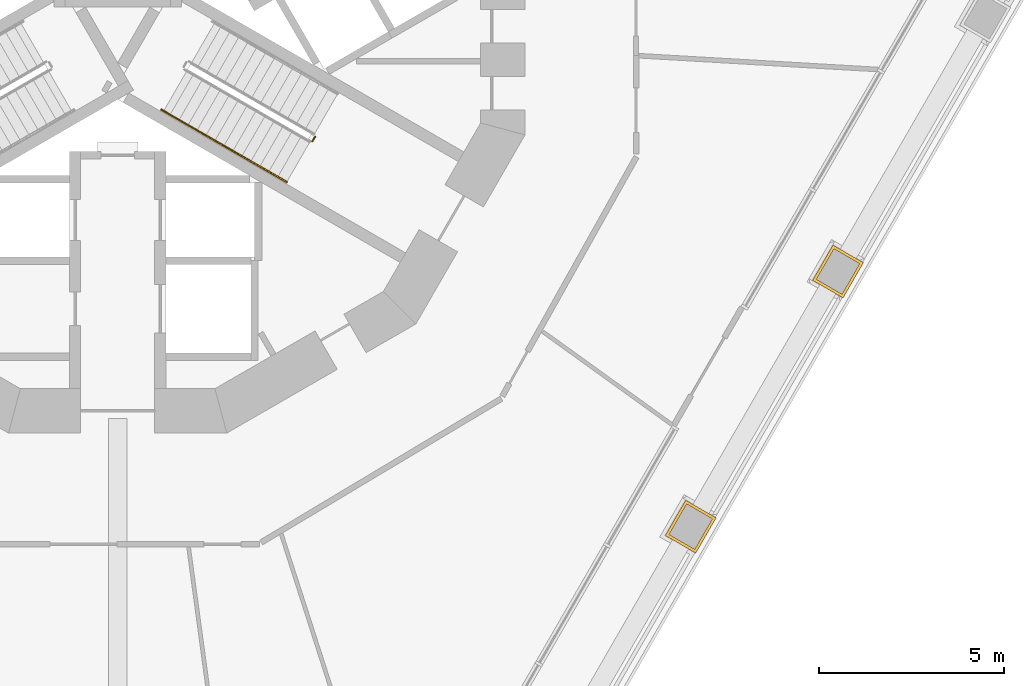
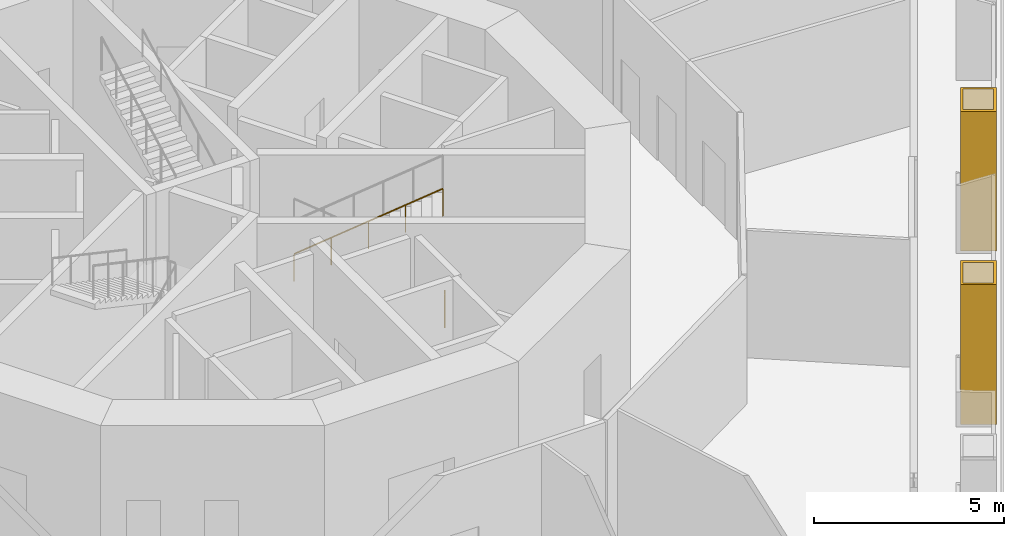
# One storey, part 18 of 22: 3 railings, 2 coverings.
"""IFC4 building model written with IfcOpenShell, lengths in metres."""

import ifcopenshell
import ifcopenshell.guid

model = None  # the IFC model being written
_history = None  # IfcOwnerHistory: only IFC2X3 demands one
_inside = {}  # id of a spatial element -> (the spatial element, [elements in it])
_under = {}  # id of a project, library or spatial element -> (it, [spatial elements below it])
_declared = {}  # id of a project -> (the project, [libraries it declares])
_typed = {}  # id of a type object -> (the type object, [elements of that type])
_made_of = {}  # id of a material, layer set ... -> (it, [elements and type objects made of it])


def new_model(schema):
    """Start an empty IFC model of exactly this schema.

    Asked for "IFC4X3", IfcOpenShell would pick the latest addendum, in which some entities
    have other attributes; the version numbers below select the first issue.
    IFC2X3 requires an IfcOwnerHistory on every rooted entity: one is made here for all.
    """
    global model, _history
    if schema == "IFC4X3":
        model = ifcopenshell.file(schema_version=(4, 3, 0, 0))
    else:
        model = ifcopenshell.file(schema=schema)
    _inside.clear()
    _under.clear()
    _declared.clear()
    _typed.clear()
    _made_of.clear()
    _history = None
    if model.schema == "IFC2X3":
        org = make("IfcOrganization", Name="unknown")
        user = make(
            "IfcPersonAndOrganization",
            ThePerson=make("IfcPerson", FamilyName="unknown"),
            TheOrganization=org,
        )
        app = make(
            "IfcApplication",
            ApplicationDeveloper=org,
            Version="unknown",
            ApplicationFullName="unknown",
            ApplicationIdentifier="unknown",
        )
        _history = make(
            "IfcOwnerHistory",
            OwningUser=user,
            OwningApplication=app,
            ChangeAction="ADDED",
            CreationDate=0,
        )
    return model


def make(cls, **values):
    """One entity of the class cls with the attributes given. An attribute that is None is left unset."""
    return model.create_entity(
        cls, **{name: value for name, value in values.items() if value is not None}
    )


def rooted(cls, **values):
    """An entity with a GlobalId (a new one), such as an element, a storey or a relation."""
    return make(cls, GlobalId=ifcopenshell.guid.new(), OwnerHistory=_history, **values)


def si_unit(unit_type, name, prefix=None):
    """IfcSIUnit, for example si_unit("LENGTHUNIT", "METRE", prefix="MILLI")."""
    return make("IfcSIUnit", UnitType=unit_type, Prefix=prefix, Name=name)


def assignment(units):
    """IfcUnitAssignment: the units of a project."""
    return None if units is None else make("IfcUnitAssignment", Units=units)


def point(xyz):
    """IfcCartesianPoint."""
    return None if xyz is None else make("IfcCartesianPoint", Coordinates=xyz)


def direction(xyz):
    """IfcDirection."""
    return None if xyz is None else make("IfcDirection", DirectionRatios=xyz)


def frame(location, z_axis=None, x_axis=None):
    """IfcAxis2Placement3D, a coordinate frame: its origin and axes. An axis left out is left unset."""
    return make(
        "IfcAxis2Placement3D",
        Location=point(location),
        Axis=direction(z_axis),
        RefDirection=direction(x_axis),
    )


def frame_2d(location, x_axis=None):
    """IfcAxis2Placement2D, a coordinate frame in the plane: its origin and x axis."""
    return make(
        "IfcAxis2Placement2D", Location=point(location), RefDirection=direction(x_axis)
    )


def origin():
    """The frame at (0, 0, 0) with its axes left unset."""
    return frame((0.0, 0.0, 0.0))


def origin_2d():
    """The frame at (0, 0) in the plane with its x axis left unset."""
    return frame_2d((0.0, 0.0))


def place(relative_to, where):
    """IfcLocalPlacement: puts the frame where relative to a parent placement (None: the world)."""
    return make(
        "IfcLocalPlacement", PlacementRelTo=relative_to, RelativePlacement=where
    )


def context(
    kind, dimensions, precision=None, world=None, true_north=None, identifier=None
):
    """IfcGeometricRepresentationContext, for example the 3D "Model" context."""
    return make(
        "IfcGeometricRepresentationContext",
        ContextIdentifier=identifier,
        ContextType=kind,
        CoordinateSpaceDimension=dimensions,
        Precision=precision,
        WorldCoordinateSystem=world,
        TrueNorth=true_north,
    )


def subcontext(parent, identifier, kind, view, scale=None):
    """IfcGeometricRepresentationSubContext, for example "Body" below "Model"."""
    return make(
        "IfcGeometricRepresentationSubContext",
        ContextIdentifier=identifier,
        ContextType=kind,
        ParentContext=parent,
        TargetScale=scale,
        TargetView=view,
    )


def project(units=None, contexts=None):
    """IfcProject with its units and contexts."""
    return rooted(
        "IfcProject",
        Name="project",
        RepresentationContexts=contexts,
        UnitsInContext=assignment(units),
    )


def spatial(cls, under=None, at=None, **own):
    """A site, building, storey or space (cls), placed at a placement, below another one or the project."""
    s = rooted(cls, ObjectPlacement=at, **own)
    if under is not None:
        _under.setdefault(under.id(), (under, []))[1].append(s)
    return s


def polyline(points):
    """IfcPolyline through the points."""
    return make("IfcPolyline", Points=[point(p) for p in points])


def profile(cls, at=None, kind="AREA", **sizes):
    """A parametric profile (cls). Its sizes go by their IFC names, for example OverallWidth=200.0."""
    return make(cls, ProfileType=kind, Position=at, **sizes)


def circle(**sizes):
    """IfcCircleProfileDef."""
    return profile("IfcCircleProfileDef", **sizes)


def outline(outer, holes=None, kind="AREA"):
    """IfcArbitraryClosedProfileDef: a profile drawn as a closed curve; with holes, ...WithVoids."""
    if holes is None:
        return make("IfcArbitraryClosedProfileDef", ProfileType=kind, OuterCurve=outer)
    return make(
        "IfcArbitraryProfileDefWithVoids",
        ProfileType=kind,
        OuterCurve=outer,
        InnerCurves=holes,
    )


def extrude(swept, where, along, depth):
    """IfcExtrudedAreaSolid: the profile swept, set in the frame where, extruded along a direction by depth."""
    return make(
        "IfcExtrudedAreaSolid",
        SweptArea=swept,
        Position=where,
        ExtrudedDirection=direction(along),
        Depth=depth,
    )


def shape(context_of_items, identifier, shape_type, items):
    """IfcShapeRepresentation: the items that make up one representation, for example the "Body"."""
    return make(
        "IfcShapeRepresentation",
        ContextOfItems=context_of_items,
        RepresentationIdentifier=identifier,
        RepresentationType=shape_type,
        Items=items,
    )


def material(Name=None, Category=None):
    """IfcMaterial."""
    return make("IfcMaterial", Name=Name, Category=Category)


def layer(
    of_material, thickness, ventilated=None, Name=None, Category=None, Priority=None
):
    """IfcMaterialLayer: one layer of a wall or slab, of a material (None: an air gap)."""
    return make(
        "IfcMaterialLayer",
        Material=of_material,
        LayerThickness=thickness,
        IsVentilated=ventilated,
        Name=Name,
        Category=Category,
        Priority=Priority,
    )


def layer_set(layers, Name=None):
    """IfcMaterialLayerSet."""
    return make("IfcMaterialLayerSet", MaterialLayers=layers, LayerSetName=Name)


def made_of(thing, what):
    """Note that an element or type object is made of a material, layer set ...; save() writes the relation."""
    if what is not None:
        _made_of.setdefault(what.id(), (what, []))[1].append(thing)
    return thing


def type_object(cls, material=None, **own):
    """A type object (cls), such as IfcWallType, which elements share."""
    return made_of(rooted(cls, **own), material)


def element(
    cls,
    number,
    at=None,
    inside=None,
    cuts=None,
    type_object=None,
    material=None,
    context=None,
    identifier="Body",
    shape_type=None,
    held_by="IfcProductDefinitionShape",
    body=None,
    shapes=None,
    **own,
):
    """One element of the class cls, such as IfcWall. Its Tag is "e" and its number.

    at: its placement. inside: the storey or other place that contains it. cuts: it is an
    opening in that element (IfcRelVoidsElement). A single representation is given by context,
    identifier, shape_type and body (its items); several are given by shapes. held_by: the class
    of the entity that holds the representations. save() writes the other relations.
    """
    e = rooted(cls, Tag="e%d" % number, ObjectPlacement=at, **own)
    if body is not None:
        shapes = [shape(context, identifier, shape_type, body)]
    if shapes is not None:
        e.Representation = make(held_by, Representations=shapes)
    if inside is not None:
        _inside.setdefault(inside.id(), (inside, []))[1].append(e)
    if cuts is not None:
        rooted(
            "IfcRelVoidsElement", RelatingBuildingElement=cuts, RelatedOpeningElement=e
        )
    if type_object is not None:
        _typed.setdefault(type_object.id(), (type_object, []))[1].append(e)
    return made_of(e, material)


def aggregate(whole, parts):
    """IfcRelAggregates: a whole, such as a stair, and the parts it consists of."""
    return rooted("IfcRelAggregates", RelatingObject=whole, RelatedObjects=parts)


def save(model, path):
    """Write the relations noted so far, then the file.

    IfcRelAggregates (storeys below a building ...), IfcRelContainedInSpatialStructure (elements
    in a storey), IfcRelDefinesByType, IfcRelAssociatesMaterial and IfcRelDeclares: one each for
    every whole, place, type object, material and project.
    """
    for whole, parts in _under.values():
        aggregate(whole, parts)
    for where, things in _inside.values():
        rooted(
            "IfcRelContainedInSpatialStructure",
            RelatedElements=things,
            RelatingStructure=where,
        )
    for kind, things in _typed.values():
        rooted("IfcRelDefinesByType", RelatedObjects=things, RelatingType=kind)
    for what, things in _made_of.values():
        rooted("IfcRelAssociatesMaterial", RelatedObjects=things, RelatingMaterial=what)
    for by, libraries in _declared.values():
        rooted("IfcRelDeclares", RelatingContext=by, RelatedDefinitions=libraries)
    model.write(path)


model = new_model("IFC4")

# Units and contexts
model_context = context("Model", 3, precision=1e-05, world=origin(), true_north=direction((0.0, 1.0)))
body_context = subcontext(model_context, "Body", "Model", "MODEL_VIEW")
ifc_project = project(units=[si_unit("LENGTHUNIT", "METRE"), si_unit("AREAUNIT", "SQUARE_METRE"), si_unit("VOLUMEUNIT", "CUBIC_METRE"), si_unit("PLANEANGLEUNIT", "RADIAN"), si_unit("MASSUNIT", "GRAM", prefix="KILO")], contexts=[model_context])

# Site, building, storey
site_placement = place(None, origin())
site = spatial("IfcSite", under=ifc_project, at=site_placement, CompositionType="ELEMENT")
building_placement = place(site_placement, origin())
building = spatial("IfcBuilding", under=site, at=building_placement, Name="Trine Commons Tower", CompositionType="ELEMENT")
storey_placement = place(building_placement, frame((0.0, 0.0, 22.5)))
storey = spatial("IfcBuildingStorey", under=building, at=storey_placement, Name="L04", CompositionType="ELEMENT", Elevation=22.5)

# Coverings
ifc_material_1 = material(Name="Limestone, honed", Category="masonry")
ifc_layer = layer(ifc_material_1, 0.074951171875)
ifc_layer_set = layer_set([ifc_layer], Name="Limestone, honed")
covering_type = type_object("IfcCoveringType", Name="Limestone column cladding 75", PredefinedType="CLADDING", material=ifc_layer_set)
covering_1_placement = place(storey_placement, origin())
element("IfcCovering", 1, at=covering_1_placement, inside=storey, type_object=covering_type, Name="Limestone pier cladding 1-20", PredefinedType="CLADDING", context=body_context, shape_type="SweptSolid", body=[
    extrude(outline(polyline([(100.15771484375, 56.0947265625), (99.334716796875, 56.569580078125), (98.784912109375, 55.6171875), (99.607666015625, 55.14208984375), (100.15771484375, 56.0947265625)]), holes=[polyline([(100.05517578125, 56.0673828125), (99.3623046875, 56.46728515625), (98.88720703125, 55.64453125), (99.580078125, 55.244384765625), (100.05517578125, 56.0673828125)])]), origin(), (0.0, 0.0, 1.0), 4.5),
])
covering_2_placement = place(storey_placement, origin())
element("IfcCovering", 2, at=covering_2_placement, inside=storey, type_object=covering_type, Name="Limestone pier cladding 1-21", PredefinedType="CLADDING", context=body_context, shape_type="SweptSolid", body=[
    extrude(outline(polyline([(96.17578125, 49.1982421875), (95.35302734375, 49.67333984375), (94.802978515625, 48.720703125), (95.6259765625, 48.24560546875), (96.17578125, 49.1982421875)]), holes=[polyline([(96.073486328125, 49.1708984375), (95.380615234375, 49.57080078125), (94.905517578125, 48.748046875), (95.598388671875, 48.34814453125), (96.073486328125, 49.1708984375)])]), origin(), (0.0, 0.0, 1.0), 4.5),
])

# Railings
ifc_material_2 = material(Name="Stainless steel balustrade", Category="steel")
railing_type_1 = type_object("IfcRailingType", Name="Stair guard, steel balustrade 1100", PredefinedType="GUARDRAIL", material=ifc_material_2)
railing_1_placement = place(storey_placement, frame((85.338134765625, 59.504638671875, 0.0)))
element("IfcRailing", 3, at=railing_1_placement, inside=storey, type_object=railing_type_1, Name="L04 ST3A stair guard 4", PredefinedType="GUARDRAIL", context=body_context, shape_type="SweptSolid", body=[
    extrude(circle(Radius=0.02392578125, at=origin_2d()), frame((0.0, 0.0, 1.076171875), z_axis=(-0.499816412211, -0.866131372301, 0.0), x_axis=(0.866131372301, -0.499816412211, 0.0)), (0.0, 0.0, 1.0), 0.14990234375),
    extrude(circle(Radius=0.02099609375, at=origin_2d()), origin(), (0.0, 0.0, 1.0), 1.052001953125),
    extrude(circle(Radius=0.02099609375, at=origin_2d()), frame((-0.074951171875, -0.1298828125, 0.0)), (0.0, 0.0, 1.0), 1.052001953125),
])
ifc_material_3 = material(Name="Stainless steel handrail", Category="steel")
railing_type_2 = type_object("IfcRailingType", Name="Stair handrail, steel 900", PredefinedType="HANDRAIL", material=ifc_material_3)
railing_2_placement = place(storey_placement, frame((81.175048828125, 60.23388671875, 2.39990234375)))
element("IfcRailing", 4, at=railing_2_placement, inside=storey, type_object=railing_type_2, Name="L04 ST3A stair handrail 3", PredefinedType="HANDRAIL", context=body_context, shape_type="SweptSolid", body=[
    extrude(circle(Radius=0.02099609375, at=origin_2d()), frame((0.0, 0.0, 0.87890625), z_axis=(0.763352030933, -0.440750151347, 0.472263677365), x_axis=(0.500024377727, 0.866011328839, 0.0)), (0.0, 0.0, 1.0), 2.223388671875),
    extrude(circle(Radius=0.01513671875, at=origin_2d()), origin(), (0.0, 0.0, 1.0), 0.85791015625),
    extrude(circle(Radius=0.01513671875, at=origin_2d()), frame((0.8486328125, -0.489990234375, 0.52490234375)), (0.0, 0.0, 1.0), 0.85791015625),
    extrude(circle(Radius=0.01513671875, at=origin_2d()), frame((1.697265625, -0.97998046875, 1.050048828125)), (0.0, 0.0, 1.0), 0.85791015625),
])
railing_3_placement = place(storey_placement, frame((82.872314453125, 59.25390625, 3.449951171875)))
element("IfcRailing", 5, at=railing_3_placement, inside=storey, type_object=railing_type_2, Name="L04 ST3A stair handrail 4", PredefinedType="HANDRAIL", context=body_context, shape_type="SweptSolid", body=[
    extrude(circle(Radius=0.02099609375, at=origin_2d()), frame((0.0, 0.0, 0.87890625), z_axis=(0.763397845365, -0.440713210311, 0.472224095054), x_axis=(0.499970440388, 0.866042469362, 0.0)), (0.0, 0.0, 1.0), 2.2236328125),
    extrude(circle(Radius=0.01513671875, at=origin_2d()), origin(), (0.0, 0.0, 1.0), 0.85791015625),
    extrude(circle(Radius=0.01513671875, at=origin_2d()), frame((0.8486328125, -0.489990234375, 0.52490234375)), (0.0, 0.0, 1.0), 0.85791015625),
    extrude(circle(Radius=0.01513671875, at=origin_2d()), frame((1.697509765625, -0.97998046875, 1.050048828125)), (0.0, 0.0, 1.0), 0.85791015625),
])

save(model, "model.ifc")
